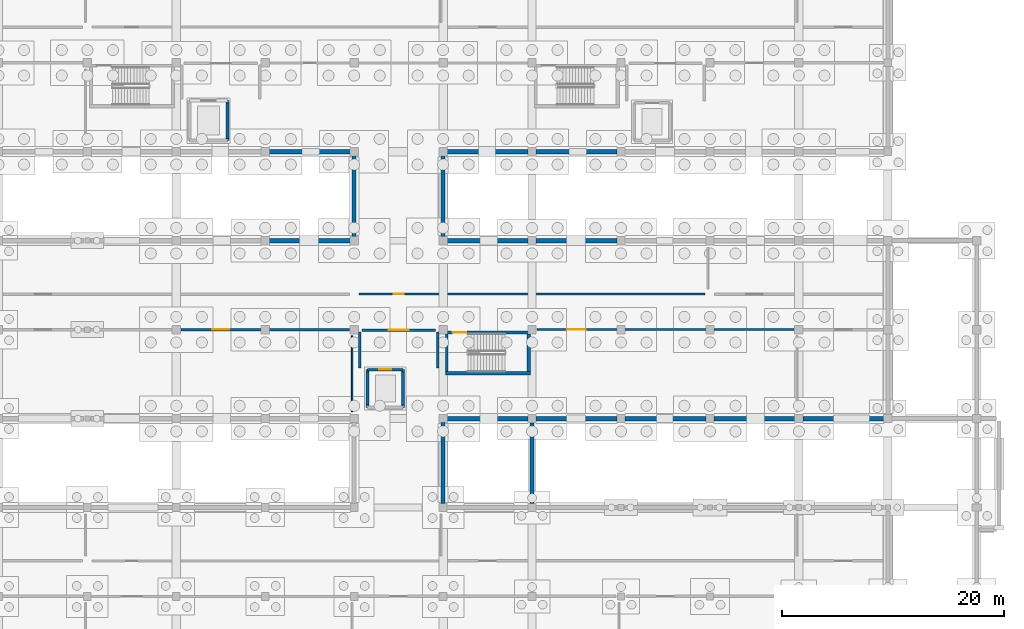
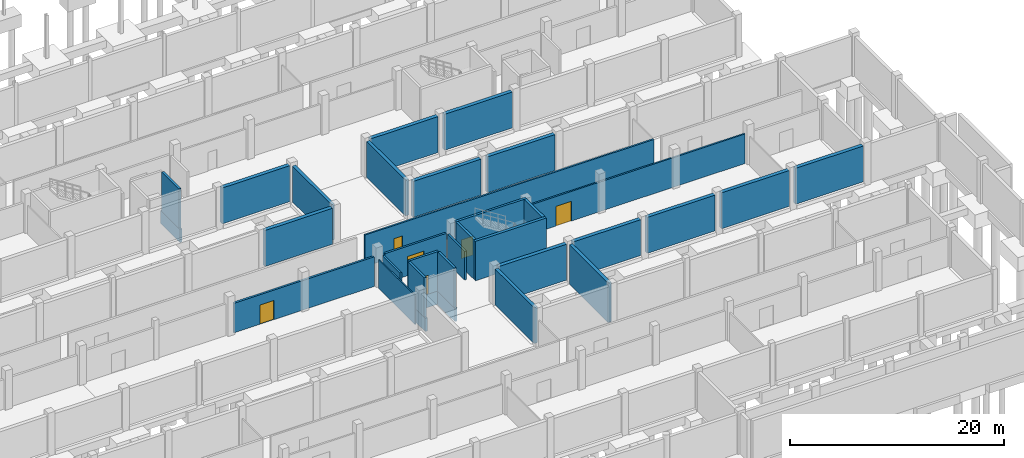
# One storey, part 43 of 51: 34 walls, 6 doors, 6 openings.
"""IFC4 building model written with IfcOpenShell, lengths in metres."""

import ifcopenshell
import ifcopenshell.guid

model = None  # the IFC model being written
_history = None  # IfcOwnerHistory: only IFC2X3 demands one
_inside = {}  # id of a spatial element -> (the spatial element, [elements in it])
_under = {}  # id of a project, library or spatial element -> (it, [spatial elements below it])
_declared = {}  # id of a project -> (the project, [libraries it declares])
_typed = {}  # id of a type object -> (the type object, [elements of that type])
_made_of = {}  # id of a material, layer set ... -> (it, [elements and type objects made of it])


def new_model(schema):
    """Start an empty IFC model of exactly this schema.

    Asked for "IFC4X3", IfcOpenShell would pick the latest addendum, in which some entities
    have other attributes; the version numbers below select the first issue.
    IFC2X3 requires an IfcOwnerHistory on every rooted entity: one is made here for all.
    """
    global model, _history
    if schema == "IFC4X3":
        model = ifcopenshell.file(schema_version=(4, 3, 0, 0))
    else:
        model = ifcopenshell.file(schema=schema)
    _inside.clear()
    _under.clear()
    _declared.clear()
    _typed.clear()
    _made_of.clear()
    _history = None
    if model.schema == "IFC2X3":
        org = make("IfcOrganization", Name="unknown")
        user = make(
            "IfcPersonAndOrganization",
            ThePerson=make("IfcPerson", FamilyName="unknown"),
            TheOrganization=org,
        )
        app = make(
            "IfcApplication",
            ApplicationDeveloper=org,
            Version="unknown",
            ApplicationFullName="unknown",
            ApplicationIdentifier="unknown",
        )
        _history = make(
            "IfcOwnerHistory",
            OwningUser=user,
            OwningApplication=app,
            ChangeAction="ADDED",
            CreationDate=0,
        )
    return model


def make(cls, **values):
    """One entity of the class cls with the attributes given. An attribute that is None is left unset."""
    return model.create_entity(
        cls, **{name: value for name, value in values.items() if value is not None}
    )


def rooted(cls, **values):
    """An entity with a GlobalId (a new one), such as an element, a storey or a relation."""
    return make(cls, GlobalId=ifcopenshell.guid.new(), OwnerHistory=_history, **values)


def si_unit(unit_type, name, prefix=None):
    """IfcSIUnit, for example si_unit("LENGTHUNIT", "METRE", prefix="MILLI")."""
    return make("IfcSIUnit", UnitType=unit_type, Prefix=prefix, Name=name)


def assignment(units):
    """IfcUnitAssignment: the units of a project."""
    return None if units is None else make("IfcUnitAssignment", Units=units)


def point(xyz):
    """IfcCartesianPoint."""
    return None if xyz is None else make("IfcCartesianPoint", Coordinates=xyz)


def direction(xyz):
    """IfcDirection."""
    return None if xyz is None else make("IfcDirection", DirectionRatios=xyz)


def frame(location, z_axis=None, x_axis=None):
    """IfcAxis2Placement3D, a coordinate frame: its origin and axes. An axis left out is left unset."""
    return make(
        "IfcAxis2Placement3D",
        Location=point(location),
        Axis=direction(z_axis),
        RefDirection=direction(x_axis),
    )


def frame_2d(location, x_axis=None):
    """IfcAxis2Placement2D, a coordinate frame in the plane: its origin and x axis."""
    return make(
        "IfcAxis2Placement2D", Location=point(location), RefDirection=direction(x_axis)
    )


def origin():
    """The frame at (0, 0, 0) with its axes left unset."""
    return frame((0.0, 0.0, 0.0))


def place(relative_to, where):
    """IfcLocalPlacement: puts the frame where relative to a parent placement (None: the world)."""
    return make(
        "IfcLocalPlacement", PlacementRelTo=relative_to, RelativePlacement=where
    )


def context(
    kind, dimensions, precision=None, world=None, true_north=None, identifier=None
):
    """IfcGeometricRepresentationContext, for example the 3D "Model" context."""
    return make(
        "IfcGeometricRepresentationContext",
        ContextIdentifier=identifier,
        ContextType=kind,
        CoordinateSpaceDimension=dimensions,
        Precision=precision,
        WorldCoordinateSystem=world,
        TrueNorth=true_north,
    )


def subcontext(parent, identifier, kind, view, scale=None):
    """IfcGeometricRepresentationSubContext, for example "Body" below "Model"."""
    return make(
        "IfcGeometricRepresentationSubContext",
        ContextIdentifier=identifier,
        ContextType=kind,
        ParentContext=parent,
        TargetScale=scale,
        TargetView=view,
    )


def project(units=None, contexts=None):
    """IfcProject with its units and contexts."""
    return rooted(
        "IfcProject",
        Name="project",
        RepresentationContexts=contexts,
        UnitsInContext=assignment(units),
    )


def spatial(cls, under=None, at=None, **own):
    """A site, building, storey or space (cls), placed at a placement, below another one or the project."""
    s = rooted(cls, ObjectPlacement=at, **own)
    if under is not None:
        _under.setdefault(under.id(), (under, []))[1].append(s)
    return s


def profile(cls, at=None, kind="AREA", **sizes):
    """A parametric profile (cls). Its sizes go by their IFC names, for example OverallWidth=200.0."""
    return make(cls, ProfileType=kind, Position=at, **sizes)


def rectangle(**sizes):
    """IfcRectangleProfileDef."""
    return profile("IfcRectangleProfileDef", **sizes)


def extrude(swept, where, along, depth):
    """IfcExtrudedAreaSolid: the profile swept, set in the frame where, extruded along a direction by depth."""
    return make(
        "IfcExtrudedAreaSolid",
        SweptArea=swept,
        Position=where,
        ExtrudedDirection=direction(along),
        Depth=depth,
    )


def shape(context_of_items, identifier, shape_type, items):
    """IfcShapeRepresentation: the items that make up one representation, for example the "Body"."""
    return make(
        "IfcShapeRepresentation",
        ContextOfItems=context_of_items,
        RepresentationIdentifier=identifier,
        RepresentationType=shape_type,
        Items=items,
    )


def material(Name=None, Category=None):
    """IfcMaterial."""
    return make("IfcMaterial", Name=Name, Category=Category)


def layer(
    of_material, thickness, ventilated=None, Name=None, Category=None, Priority=None
):
    """IfcMaterialLayer: one layer of a wall or slab, of a material (None: an air gap)."""
    return make(
        "IfcMaterialLayer",
        Material=of_material,
        LayerThickness=thickness,
        IsVentilated=ventilated,
        Name=Name,
        Category=Category,
        Priority=Priority,
    )


def layer_set(layers, Name=None):
    """IfcMaterialLayerSet."""
    return make("IfcMaterialLayerSet", MaterialLayers=layers, LayerSetName=Name)


def made_of(thing, what):
    """Note that an element or type object is made of a material, layer set ...; save() writes the relation."""
    if what is not None:
        _made_of.setdefault(what.id(), (what, []))[1].append(thing)
    return thing


def type_object(cls, material=None, **own):
    """A type object (cls), such as IfcWallType, which elements share."""
    return made_of(rooted(cls, **own), material)


def element(
    cls,
    number,
    at=None,
    inside=None,
    cuts=None,
    type_object=None,
    material=None,
    context=None,
    identifier="Body",
    shape_type=None,
    held_by="IfcProductDefinitionShape",
    body=None,
    shapes=None,
    **own,
):
    """One element of the class cls, such as IfcWall. Its Tag is "e" and its number.

    at: its placement. inside: the storey or other place that contains it. cuts: it is an
    opening in that element (IfcRelVoidsElement). A single representation is given by context,
    identifier, shape_type and body (its items); several are given by shapes. held_by: the class
    of the entity that holds the representations. save() writes the other relations.
    """
    e = rooted(cls, Tag="e%d" % number, ObjectPlacement=at, **own)
    if body is not None:
        shapes = [shape(context, identifier, shape_type, body)]
    if shapes is not None:
        e.Representation = make(held_by, Representations=shapes)
    if inside is not None:
        _inside.setdefault(inside.id(), (inside, []))[1].append(e)
    if cuts is not None:
        rooted(
            "IfcRelVoidsElement", RelatingBuildingElement=cuts, RelatedOpeningElement=e
        )
    if type_object is not None:
        _typed.setdefault(type_object.id(), (type_object, []))[1].append(e)
    return made_of(e, material)


def fill(opening, filler):
    """IfcRelFillsElement: the door or window that sits in an opening."""
    return rooted(
        "IfcRelFillsElement",
        RelatingOpeningElement=opening,
        RelatedBuildingElement=filler,
    )


def aggregate(whole, parts):
    """IfcRelAggregates: a whole, such as a stair, and the parts it consists of."""
    return rooted("IfcRelAggregates", RelatingObject=whole, RelatedObjects=parts)


def save(model, path):
    """Write the relations noted so far, then the file.

    IfcRelAggregates (storeys below a building ...), IfcRelContainedInSpatialStructure (elements
    in a storey), IfcRelDefinesByType, IfcRelAssociatesMaterial and IfcRelDeclares: one each for
    every whole, place, type object, material and project.
    """
    for whole, parts in _under.values():
        aggregate(whole, parts)
    for where, things in _inside.values():
        rooted(
            "IfcRelContainedInSpatialStructure",
            RelatedElements=things,
            RelatingStructure=where,
        )
    for kind, things in _typed.values():
        rooted("IfcRelDefinesByType", RelatedObjects=things, RelatingType=kind)
    for what, things in _made_of.values():
        rooted("IfcRelAssociatesMaterial", RelatedObjects=things, RelatingMaterial=what)
    for by, libraries in _declared.values():
        rooted("IfcRelDeclares", RelatingContext=by, RelatedDefinitions=libraries)
    model.write(path)


model = new_model("IFC4")

# Units and contexts
model_context = context("Model", 3, precision=1e-05, world=origin(), true_north=direction((0.0, 1.0)))
body_context = subcontext(model_context, "Body", "Model", "MODEL_VIEW")
ifc_project = project(units=[si_unit("LENGTHUNIT", "METRE"), si_unit("AREAUNIT", "SQUARE_METRE"), si_unit("VOLUMEUNIT", "CUBIC_METRE"), si_unit("PLANEANGLEUNIT", "RADIAN"), si_unit("MASSUNIT", "GRAM", prefix="KILO")], contexts=[model_context])

# Site, building, storey
site_placement = place(None, origin())
site = spatial("IfcSite", under=ifc_project, at=site_placement, CompositionType="ELEMENT")
building_placement = place(site_placement, origin())
building = spatial("IfcBuilding", under=site, at=building_placement, Name="Jelvoka-Kovrelna Polytechnic", CompositionType="ELEMENT")
storey_placement = place(building_placement, frame((0.0, 0.0, -4.5)))
storey = spatial("IfcBuildingStorey", under=building, at=storey_placement, Name="B01", CompositionType="ELEMENT", Elevation=-4.5)

# Wall, opening, door
ifc_material_1 = material(Name="Concrete C35/45", Category="concrete")
ifc_layer_1 = layer(ifc_material_1, 0.219970703125)
ifc_layer_set_1 = layer_set([ifc_layer_1], Name="Concrete C35/45")
wall_type_1 = type_object("IfcWallType", Name="Wall_Compartment_220", PredefinedType="PARTITIONING", material=ifc_layer_set_1)
wall_1_placement = place(storey_placement, frame((144.699951171875, 39.949951171875, 0.0), z_axis=(0.0, 0.0, 1.0), x_axis=(1.0, 0.0, 0.0)))
wall_1 = element("IfcWall", 1, at=wall_1_placement, inside=storey, type_object=wall_type_1, Name="B01 interior wall 0460", PredefinedType="PARTITIONING", context=body_context, shape_type="SweptSolid", body=[
    extrude(rectangle(XDim=6.60009765625, YDim=0.219970703125, at=frame_2d((3.300048828125, 0.0))), origin(), (0.0, 0.0, 1.0), 3.3701171875),
])
opening_1_placement = place(wall_1_placement, frame((2.39990234375, 0.0, 0.0)))
opening_1 = element("IfcOpeningElement", 2, at=opening_1_placement, cuts=wall_1, Name="Opening FD-B01-089", PredefinedType="OPENING", context=body_context, shape_type="SweptSolid", body=[
    extrude(rectangle(XDim=1.800048828125, YDim=2.199951171875, at=frame_2d((0.89990234375, 1.10009765625))), frame((0.0, 0.119873046875, 0.0), z_axis=(0.0, -1.0, 0.0), x_axis=(1.0, 0.0, 0.0)), (0.0, 0.0, 1.0), 0.239990234375),
])
ifc_material_2 = material(Name="Paired steel corridor fire door", Category="steel")
door_type_1 = type_object("IfcDoorType", Name="Door_Fire_FD03", OperationType="NOTDEFINED", PredefinedType="DOOR", material=ifc_material_2)
door_1_placement = place(opening_1_placement, origin())
door_1 = element("IfcDoor", 3, at=door_1_placement, inside=storey, type_object=door_type_1, Name="B01 interior door FD-B01-089", OperationType="DOUBLE_DOOR_SINGLE_SWING", OverallHeight=2.199951171875, OverallWidth=1.800048828125, PredefinedType="DOOR", context=body_context, shape_type="SweptSolid", body=[
    extrude(rectangle(XDim=1.800048828125, YDim=2.199951171875, at=frame_2d((0.89990234375, 1.10009765625))), frame((0.0, 0.02490234375, 0.0), z_axis=(0.0, -1.0, 0.0), x_axis=(1.0, 0.0, 0.0)), (0.0, 0.0, 1.0), 0.050048828125),
])
fill(opening_1, door_1)

# Walls
for number, where, z_axis, x_axis, name in (
    (4, (144.5, 36.550048828125, 0.0), (0.0, 0.0, 1.0), (0.0, 1.0, 0.0), "B01 interior wall 0461"),
    (5, (151.5, 36.550048828125, 0.0), (0.0, 0.0, 1.0), (0.0, 1.0, 0.0), "B01 interior wall 0462"),
):
    element("IfcWall", number, at=place(storey_placement, frame(where, z_axis=z_axis, x_axis=x_axis)), inside=storey, type_object=wall_type_1, Name=name, PredefinedType="PARTITIONING", context=body_context, shape_type="SweptSolid", body=[
        extrude(rectangle(XDim=3.25, YDim=0.219970703125, at=frame_2d((1.625, 0.0))), origin(), (0.0, 0.0, 1.0), 3.27001953125),
    ])

# Wall, opening, door
wall_2_placement = place(storey_placement, frame((128.429931640625, 40.0, 0.0), z_axis=(0.0, 0.0, 1.0), x_axis=(1.0, 0.0, 0.0)))
wall_2 = element("IfcWall", 6, at=wall_2_placement, inside=storey, type_object=wall_type_1, Name="B01 interior wall 0822", PredefinedType="PARTITIONING", context=body_context, shape_type="SweptSolid", body=[
    extrude(rectangle(XDim=15.14013671875, YDim=0.219970703125, at=frame_2d((7.570068359375, 0.0))), origin(), (0.0, 0.0, 1.0), 3.3701171875),
])
opening_2_placement = place(wall_2_placement, frame((2.820068359375, 0.0, 0.0)))
opening_2 = element("IfcOpeningElement", 7, at=opening_2_placement, cuts=wall_2, Name="Opening D-B01-135", PredefinedType="OPENING", context=body_context, shape_type="SweptSolid", body=[
    extrude(rectangle(XDim=1.5, YDim=2.199951171875, at=frame_2d((0.75, 1.10009765625))), frame((0.0, 0.119873046875, 0.0), z_axis=(0.0, -1.0, 0.0), x_axis=(1.0, 0.0, 0.0)), (0.0, 0.0, 1.0), 0.239990234375),
])
ifc_material_3 = material(Name="Paired steel stair lobby fire door", Category="steel")
door_type_2 = type_object("IfcDoorType", Name="Door_Fire_FD04", OperationType="NOTDEFINED", PredefinedType="DOOR", material=ifc_material_3)
door_2_placement = place(opening_2_placement, origin())
door_2 = element("IfcDoor", 8, at=door_2_placement, inside=storey, type_object=door_type_2, Name="B01 interior door D-B01-135", OperationType="DOUBLE_DOOR_SINGLE_SWING", OverallHeight=2.199951171875, OverallWidth=1.5, PredefinedType="DOOR", context=body_context, shape_type="SweptSolid", body=[
    extrude(rectangle(XDim=1.5, YDim=2.199951171875, at=frame_2d((0.75, 1.10009765625))), frame((0.0, 0.02490234375, 0.0), z_axis=(0.0, -1.0, 0.0), x_axis=(1.0, 0.0, 0.0)), (0.0, 0.0, 1.0), 0.050048828125),
])
fill(opening_2, door_2)

ifc_material_4 = material(Name="Concrete C40/50", Category="concrete")
ifc_layer_2 = layer(ifc_material_4, 0.25)
ifc_layer_set_2 = layer_set([ifc_layer_2], Name="Concrete C40/50")
wall_type_2 = type_object("IfcWallType", Name="Wall_Core_250", PredefinedType="SOLIDWALL", material=ifc_layer_set_2)
wall_3_placement = place(storey_placement, frame((152.199951171875, 39.739990234375, 0.0), z_axis=(0.0, 0.0, 1.0), x_axis=(1.0, 0.0, 0.0)))
wall_3 = element("IfcWall", 9, at=wall_3_placement, inside=storey, type_object=wall_type_2, Name="B01 interior wall 0115", PredefinedType="SOLIDWALL", context=body_context, shape_type="SweptSolid", body=[
    extrude(rectangle(XDim=7.650146484375, YDim=0.25, at=frame_2d((3.8251953125, 0.0))), origin(), (0.0, 0.0, 1.0), 4.5),
])
opening_3_placement = place(wall_3_placement, frame((0.64990234375, 0.0, 0.0)))
opening_3 = element("IfcOpeningElement", 10, at=opening_3_placement, cuts=wall_3, Name="Opening SD-B01-029", PredefinedType="OPENING", context=body_context, shape_type="SweptSolid", body=[
    extrude(rectangle(XDim=1.25, YDim=2.14990234375, at=frame_2d((0.625, 1.074951171875))), frame((0.0, 0.135009765625, 0.0), z_axis=(0.0, -1.0, 0.0), x_axis=(1.0, 0.0, 0.0)), (0.0, 0.0, 1.0), 0.27001953125),
])
ifc_material_5 = material(Name="Powder-coated steel fire door", Category="steel")
door_type_3 = type_object("IfcDoorType", Name="Door_Fire_FD02", OperationType="NOTDEFINED", PredefinedType="DOOR", material=ifc_material_5)
door_3_placement = place(opening_3_placement, origin())
door_3 = element("IfcDoor", 11, at=door_3_placement, inside=storey, type_object=door_type_3, Name="B01 interior door SD-B01-029", OperationType="SINGLE_SWING_LEFT", OverallHeight=2.14990234375, OverallWidth=1.25, PredefinedType="DOOR", context=body_context, shape_type="SweptSolid", body=[
    extrude(rectangle(XDim=1.25, YDim=2.14990234375, at=frame_2d((0.625, 1.074951171875))), frame((0.0, 0.02490234375, 0.0), z_axis=(0.0, -1.0, 0.0), x_axis=(1.0, 0.0, 0.0)), (0.0, 0.0, 1.0), 0.050048828125),
])
fill(opening_3, door_3)

# Walls
wall_4_placement = place(storey_placement, frame((152.324951171875, 36.25, 0.0), z_axis=(0.0, 0.0, 1.0), x_axis=(0.0, 1.0, 0.0)))
element("IfcWall", 12, at=wall_4_placement, inside=storey, type_object=wall_type_2, Name="B01 interior wall 0116", PredefinedType="SOLIDWALL", context=body_context, shape_type="SweptSolid", body=[
    extrude(rectangle(XDim=3.360107421875, YDim=0.25, at=frame_2d((1.68017578125, 0.0))), origin(), (0.0, 0.0, 1.0), 4.5),
])
wall_5_placement = place(storey_placement, frame((148.39990234375, 33.0, -1.5), z_axis=(0.0, 0.0, 1.0), x_axis=(0.0, 1.0, 0.0)))
element("IfcWall", 13, at=wall_5_placement, inside=storey, type_object=wall_type_2, Name="B01 interior wall 0453", PredefinedType="SOLIDWALL", context=body_context, shape_type="SweptSolid", body=[
    extrude(rectangle(XDim=3.39990234375, YDim=0.25, at=frame_2d((1.699951171875, 0.0))), origin(), (0.0, 0.0, 1.0), 1.5),
])
wall_6_placement = place(storey_placement, frame((148.39990234375, 36.39990234375, -1.5), z_axis=(0.0, 0.0, 1.0), x_axis=(-1.0, 0.0, 0.0)))
element("IfcWall", 14, at=wall_6_placement, inside=storey, type_object=wall_type_2, Name="B01 interior wall 0454", PredefinedType="SOLIDWALL", context=body_context, shape_type="SweptSolid", body=[
    extrude(rectangle(XDim=3.199951171875, YDim=0.25, at=frame_2d((1.60009765625, 0.0))), origin(), (0.0, 0.0, 1.0), 1.5),
])
wall_7_placement = place(storey_placement, frame((145.199951171875, 36.39990234375, -1.5), z_axis=(0.0, 0.0, 1.0), x_axis=(0.0, -1.0, 0.0)))
element("IfcWall", 15, at=wall_7_placement, inside=storey, type_object=wall_type_2, Name="B01 interior wall 0455", PredefinedType="SOLIDWALL", context=body_context, shape_type="SweptSolid", body=[
    extrude(rectangle(XDim=3.39990234375, YDim=0.25, at=frame_2d((1.699951171875, 0.0))), origin(), (0.0, 0.0, 1.0), 1.5),
])

# Wall, opening, door
wall_8_placement = place(storey_placement, frame((145.199951171875, 36.39990234375, 0.0), z_axis=(0.0, 0.0, 1.0), x_axis=(1.0, 0.0, 0.0)))
wall_8 = element("IfcWall", 16, at=wall_8_placement, inside=storey, type_object=wall_type_2, Name="B01 interior wall 0457", PredefinedType="SOLIDWALL", context=body_context, shape_type="SweptSolid", body=[
    extrude(rectangle(XDim=3.199951171875, YDim=0.25, at=frame_2d((1.60009765625, 0.0))), origin(), (0.0, 0.0, 1.0), 4.5),
])
opening_4_placement = place(wall_8_placement, frame((1.050048828125, 0.0, 0.0)))
opening_4 = element("IfcOpeningElement", 17, at=opening_4_placement, cuts=wall_8, Name="Opening LD-B01-26", PredefinedType="OPENING", context=body_context, shape_type="SweptSolid", body=[
    extrude(rectangle(XDim=1.10009765625, YDim=2.14990234375, at=frame_2d((0.550048828125, 1.074951171875))), frame((0.0, 0.135009765625, 0.0), z_axis=(0.0, -1.0, 0.0), x_axis=(1.0, 0.0, 0.0)), (0.0, 0.0, 1.0), 0.27001953125),
])
ifc_material_6 = material(Name="Brushed stainless steel sliding landing door", Category="steel")
door_type_4 = type_object("IfcDoorType", Name="Door_Lift_LD01", OperationType="NOTDEFINED", PredefinedType="DOOR", material=ifc_material_6)
door_4_placement = place(opening_4_placement, origin())
door_4 = element("IfcDoor", 18, at=door_4_placement, inside=storey, type_object=door_type_4, Name="B01 lift landing sliding door LD-B01-26", OperationType="DOUBLE_DOOR_SLIDING", OverallHeight=2.14990234375, OverallWidth=1.10009765625, PredefinedType="DOOR", context=body_context, shape_type="SweptSolid", body=[
    extrude(rectangle(XDim=1.10009765625, YDim=2.14990234375, at=frame_2d((0.550048828125, 1.074951171875))), frame((0.0, 0.02490234375, 0.0), z_axis=(0.0, -1.0, 0.0), x_axis=(1.0, 0.0, 0.0)), (0.0, 0.0, 1.0), 0.050048828125),
])
fill(opening_4, door_4)

# Walls
for number, where, z_axis, x_axis, name in (
    (19, (145.199951171875, 33.199951171875, 0.0), (0.0, 0.0, 1.0), (0.0, 1.0, 0.0), "B01 interior wall 0458"),
    (20, (148.39990234375, 33.199951171875, 0.0), (0.0, 0.0, 1.0), (0.0, 1.0, 0.0), "B01 interior wall 0459"),
):
    element("IfcWall", number, at=place(storey_placement, frame(where, z_axis=z_axis, x_axis=x_axis)), inside=storey, type_object=wall_type_2, Name=name, PredefinedType="SOLIDWALL", context=body_context, shape_type="SweptSolid", body=[
        extrude(rectangle(XDim=3.0, YDim=0.25, at=frame_2d((1.5, 0.0))), origin(), (0.0, 0.0, 1.0), 4.5),
    ])
wall_9_placement = place(storey_placement, frame((132.60009765625, 57.0, -1.5), z_axis=(0.0, 0.0, 1.0), x_axis=(0.0, 1.0, 0.0)))
element("IfcWall", 21, at=wall_9_placement, inside=storey, type_object=wall_type_2, Name="B01 interior wall 0625", PredefinedType="SOLIDWALL", context=body_context, shape_type="SweptSolid", body=[
    extrude(rectangle(XDim=3.60009765625, YDim=0.25, at=frame_2d((1.800048828125, 0.0))), origin(), (0.0, 0.0, 1.0), 1.5),
])
wall_10_placement = place(storey_placement, frame((132.60009765625, 57.199951171875, 0.0), z_axis=(0.0, 0.0, 1.0), x_axis=(0.0, 1.0, 0.0)))
element("IfcWall", 22, at=wall_10_placement, inside=storey, type_object=wall_type_2, Name="B01 interior wall 0631", PredefinedType="SOLIDWALL", context=body_context, shape_type="SweptSolid", body=[
    extrude(rectangle(XDim=3.199951171875, YDim=0.25, at=frame_2d((1.60009765625, 0.0))), origin(), (0.0, 0.0, 1.0), 4.5),
])

# Wall, opening, door
ifc_material_7 = material(Name="Autoclaved aerated concrete blockwork", Category="masonry")
ifc_layer_3 = layer(ifc_material_7, 0.179931640625)
ifc_layer_set_3 = layer_set([ifc_layer_3], Name="Autoclaved aerated concrete blockwork")
wall_type_3 = type_object("IfcWallType", Name="Wall_Corridor_180", PredefinedType="PARTITIONING", material=ifc_layer_set_3)
wall_11_placement = place(storey_placement, frame((160.429931640625, 40.0, 0.0), z_axis=(0.0, 0.0, 1.0), x_axis=(1.0, 0.0, 0.0)))
wall_11 = element("IfcWall", 23, at=wall_11_placement, inside=storey, type_object=wall_type_3, Name="B01 interior wall 0824", PredefinedType="PARTITIONING", context=body_context, shape_type="SweptSolid", body=[
    extrude(rectangle(XDim=23.14013671875, YDim=0.179931640625, at=frame_2d((11.570068359375, 0.0))), origin(), (0.0, 0.0, 1.0), 3.3701171875),
])
opening_5_placement = place(wall_11_placement, frame((2.72998046875, 0.0, 0.0)))
opening_5 = element("IfcOpeningElement", 24, at=opening_5_placement, cuts=wall_11, Name="Opening D-B01-136", PredefinedType="OPENING", context=body_context, shape_type="SweptSolid", body=[
    extrude(rectangle(XDim=1.679931640625, YDim=2.25, at=frame_2d((0.83984375, 1.125))), frame((0.0, 0.099853515625, 0.0), z_axis=(0.0, -1.0, 0.0), x_axis=(1.0, 0.0, 0.0)), (0.0, 0.0, 1.0), 0.199951171875),
])
ifc_material_8 = material(Name="Paired acoustic lecture theatre door", Category="wood")
door_type_5 = type_object("IfcDoorType", Name="Door_Int_D20", OperationType="NOTDEFINED", PredefinedType="DOOR", material=ifc_material_8)
door_5_placement = place(opening_5_placement, origin())
door_5 = element("IfcDoor", 25, at=door_5_placement, inside=storey, type_object=door_type_5, Name="B01 interior door D-B01-136", OperationType="DOUBLE_DOOR_SINGLE_SWING", OverallHeight=2.25, OverallWidth=1.679931640625, PredefinedType="DOOR", context=body_context, shape_type="SweptSolid", body=[
    extrude(rectangle(XDim=1.679931640625, YDim=2.25, at=frame_2d((0.83984375, 1.125))), frame((0.0, 0.02490234375, 0.0), z_axis=(0.0, -1.0, 0.0), x_axis=(1.0, 0.0, 0.0)), (0.0, 0.0, 1.0), 0.050048828125),
])
fill(opening_5, door_5)

wall_12_placement = place(storey_placement, frame((144.429931640625, 43.199951171875, 0.0), z_axis=(0.0, 0.0, 1.0), x_axis=(1.0, 0.0, 0.0)))
wall_12 = element("IfcWall", 26, at=wall_12_placement, inside=storey, type_object=wall_type_3, Name="B01 interior wall 0828", PredefinedType="PARTITIONING", context=body_context, shape_type="SweptSolid", body=[
    extrude(rectangle(XDim=31.14013671875, YDim=0.179931640625, at=frame_2d((15.570068359375, 0.0))), origin(), (0.0, 0.0, 1.0), 3.60009765625),
])
opening_6_placement = place(wall_12_placement, frame((3.1201171875, 0.0, 0.0)))
opening_6 = element("IfcOpeningElement", 27, at=opening_6_placement, cuts=wall_12, Name="Opening D-B01-139", PredefinedType="OPENING", context=body_context, shape_type="SweptSolid", body=[
    extrude(rectangle(XDim=0.89990234375, YDim=2.10009765625, at=frame_2d((0.449951171875, 1.050048828125))), frame((0.0, 0.099853515625, 0.0), z_axis=(0.0, -1.0, 0.0), x_axis=(1.0, 0.0, 0.0)), (0.0, 0.0, 1.0), 0.199951171875),
])
ifc_material_9 = material(Name="Hardwood solid-core door", Category="wood")
door_type_6 = type_object("IfcDoorType", Name="Door_Int_D01", OperationType="NOTDEFINED", PredefinedType="DOOR", material=ifc_material_9)
door_6_placement = place(opening_6_placement, origin())
door_6 = element("IfcDoor", 28, at=door_6_placement, inside=storey, type_object=door_type_6, Name="B01 interior door D-B01-139", OperationType="SINGLE_SWING_RIGHT", OverallHeight=2.10009765625, OverallWidth=0.89990234375, PredefinedType="DOOR", context=body_context, shape_type="SweptSolid", body=[
    extrude(rectangle(XDim=0.89990234375, YDim=2.10009765625, at=frame_2d((0.449951171875, 1.050048828125))), frame((0.0, 0.02490234375, 0.0), z_axis=(0.0, -1.0, 0.0), x_axis=(1.0, 0.0, 0.0)), (0.0, 0.0, 1.0), 0.050048828125),
])
fill(opening_6, door_6)

# Walls
ifc_material_10 = material(Name="Acoustic gypsum stud partition")
ifc_layer_4 = layer(ifc_material_10, 0.125)
ifc_layer_set_4 = layer_set([ifc_layer_4], Name="Acoustic gypsum stud partition")
wall_type_4 = type_object("IfcWallType", Name="Wall_Partition_125", PredefinedType="PARTITIONING", material=ifc_layer_set_4)
wall_13_placement = place(storey_placement, frame((143.820068359375, 32.6201171875, 0.0), z_axis=(0.0, 0.0, 1.0), x_axis=(0.0, 1.0, 0.0)))
element("IfcWall", 29, at=wall_13_placement, inside=storey, type_object=wall_type_4, Name="B01 interior wall 0823", PredefinedType="PARTITIONING", context=body_context, shape_type="SweptSolid", body=[
    extrude(rectangle(XDim=6.809814453125, YDim=0.125, at=frame_2d((3.40478515625, 0.0))), origin(), (0.0, 0.0, 1.0), 3.27001953125),
])
ifc_material_11 = material(Name="Concrete C35/45", Category="concrete")
ifc_layer_5 = layer(ifc_material_11, 0.35009765625)
ifc_layer_set_5 = layer_set([ifc_layer_5], Name="Concrete C35/45")
wall_type_5 = type_object("IfcWallType", Name="Wall_Retaining_350", PredefinedType="USERDEFINED", material=ifc_layer_set_5)
for number, where, z_axis, x_axis, name in (
    (30, (144.0, 48.35009765625, 0.0), (0.0, 0.0, 1.0), (0.0, 1.0, 0.0), "B01 exterior wall 0112"),
    (31, (152.0, 31.64990234375, 0.0), (0.0, 0.0, 1.0), (0.0, -1.0, 0.0), "B01 exterior wall 0113"),
    (32, (152.0, 55.64990234375, 0.0), (0.0, 0.0, 1.0), (0.0, -1.0, 0.0), "B01 exterior wall 0114"),
):
    element("IfcWall", number, at=place(storey_placement, frame(where, z_axis=z_axis, x_axis=x_axis)), inside=storey, type_object=wall_type_5, Name=name, ObjectType="RETAININGWALL", PredefinedType="USERDEFINED", context=body_context, shape_type="SweptSolid", body=[
        extrude(rectangle(XDim=7.2998046875, YDim=0.35009765625, at=frame_2d((3.64990234375, 0.0))), origin(), (0.0, 0.0, 1.0), 4.094970703125),
    ])
wall_14_placement = place(storey_placement, frame((160.0, 24.362060546875, -0.405029296875), z_axis=(0.0, 0.0, 1.0), x_axis=(0.0, 1.0, 0.0)))
element("IfcWall", 33, at=wall_14_placement, inside=storey, type_object=wall_type_5, Name="B01 exterior wall 0175", ObjectType="RETAININGWALL", PredefinedType="USERDEFINED", context=body_context, shape_type="SweptSolid", body=[
    extrude(rectangle(XDim=7.2509765625, YDim=0.35009765625, at=frame_2d((3.62548828125, 0.0))), origin(), (0.0, 0.0, 1.0), 4.4951171875),
])
ifc_material_12 = material(Name="Concrete C35/45", Category="concrete")
ifc_layer_6 = layer(ifc_material_12, 0.39990234375)
ifc_layer_set_6 = layer_set([ifc_layer_6], Name="Concrete C35/45")
wall_type_6 = type_object("IfcWallType", Name="Wall_Retaining_400", PredefinedType="USERDEFINED", material=ifc_layer_set_6)
for number, where, z_axis, x_axis, name in (
    (34, (136.35009765625, 48.0, 0.0), (0.0, 0.0, 1.0), (1.0, 0.0, 0.0), "B01 exterior wall 0056"),
    (35, (159.64990234375, 32.0, 0.0), (0.0, 0.0, 1.0), (-1.0, 0.0, 0.0), "B01 exterior wall 0057"),
    (36, (152.35009765625, 48.0, 0.0), (0.0, 0.0, 1.0), (1.0, 0.0, 0.0), "B01 exterior wall 0058"),
    (37, (167.64990234375, 32.0, 0.0), (0.0, 0.0, 1.0), (-1.0, 0.0, 0.0), "B01 exterior wall 0059"),
    (38, (160.35009765625, 48.0, 0.0), (0.0, 0.0, 1.0), (1.0, 0.0, 0.0), "B01 exterior wall 0060"),
    (39, (175.64990234375, 32.0, 0.0), (0.0, 0.0, 1.0), (-1.0, 0.0, 0.0), "B01 exterior wall 0061"),
    (40, (183.64990234375, 32.0, 0.0), (0.0, 0.0, 1.0), (-1.0, 0.0, 0.0), "B01 exterior wall 0063"),
    (41, (191.64990234375, 32.0, 0.0), (0.0, 0.0, 1.0), (-1.0, 0.0, 0.0), "B01 exterior wall 0065"),
    (42, (143.64990234375, 56.0, 0.0), (0.0, 0.0, 1.0), (-1.0, 0.0, 0.0), "B01 exterior wall 0090"),
    (43, (159.64990234375, 56.0, 0.0), (0.0, 0.0, 1.0), (-1.0, 0.0, 0.0), "B01 exterior wall 0093"),
    (44, (167.64990234375, 56.0, 0.0), (0.0, 0.0, 1.0), (-1.0, 0.0, 0.0), "B01 exterior wall 0095"),
):
    element("IfcWall", number, at=place(storey_placement, frame(where, z_axis=z_axis, x_axis=x_axis)), inside=storey, type_object=wall_type_6, Name=name, ObjectType="RETAININGWALL", PredefinedType="USERDEFINED", context=body_context, shape_type="SweptSolid", body=[
        extrude(rectangle(XDim=7.2998046875, YDim=0.39990234375, at=frame_2d((3.64990234375, 0.0))), origin(), (0.0, 0.0, 1.0), 4.094970703125),
    ])
ifc_material_13 = material(Name="Concrete C40/50", Category="concrete")
ifc_layer_7 = layer(ifc_material_13, 0.300048828125)
ifc_layer_set_7 = layer_set([ifc_layer_7], Name="Concrete C40/50")
wall_type_7 = type_object("IfcWallType", Name="Wall_Shear_300", PredefinedType="SHEAR", material=ifc_layer_set_7)
wall_15_placement = place(storey_placement, frame((152.199951171875, 36.090087890625, 0.0), z_axis=(0.0, 0.0, 1.0), x_axis=(1.0, 0.0, 0.0)))
element("IfcWall", 45, at=wall_15_placement, inside=storey, type_object=wall_type_7, Name="B01 interior wall 0113", PredefinedType="SHEAR", context=body_context, shape_type="SweptSolid", body=[
    extrude(rectangle(XDim=7.650146484375, YDim=0.300048828125, at=frame_2d((3.8251953125, 0.0))), origin(), (0.0, 0.0, 1.0), 4.5),
])
wall_16_placement = place(storey_placement, frame((159.7099609375, 36.25, 0.0), z_axis=(0.0, 0.0, 1.0), x_axis=(0.0, 1.0, 0.0)))
element("IfcWall", 46, at=wall_16_placement, inside=storey, type_object=wall_type_7, Name="B01 interior wall 0114", PredefinedType="SHEAR", context=body_context, shape_type="SweptSolid", body=[
    extrude(rectangle(XDim=3.360107421875, YDim=0.300048828125, at=frame_2d((1.68017578125, 0.0))), origin(), (0.0, 0.0, 1.0), 4.5),
])

save(model, "model.ifc")
